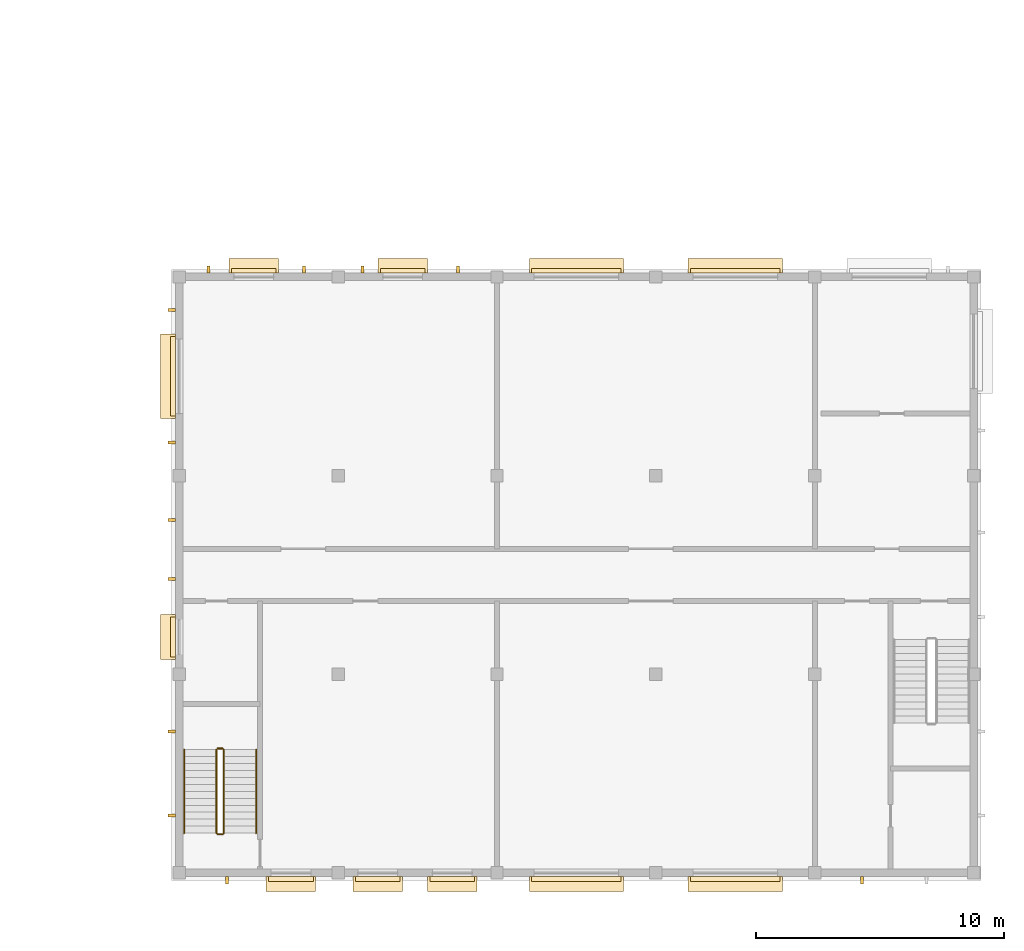
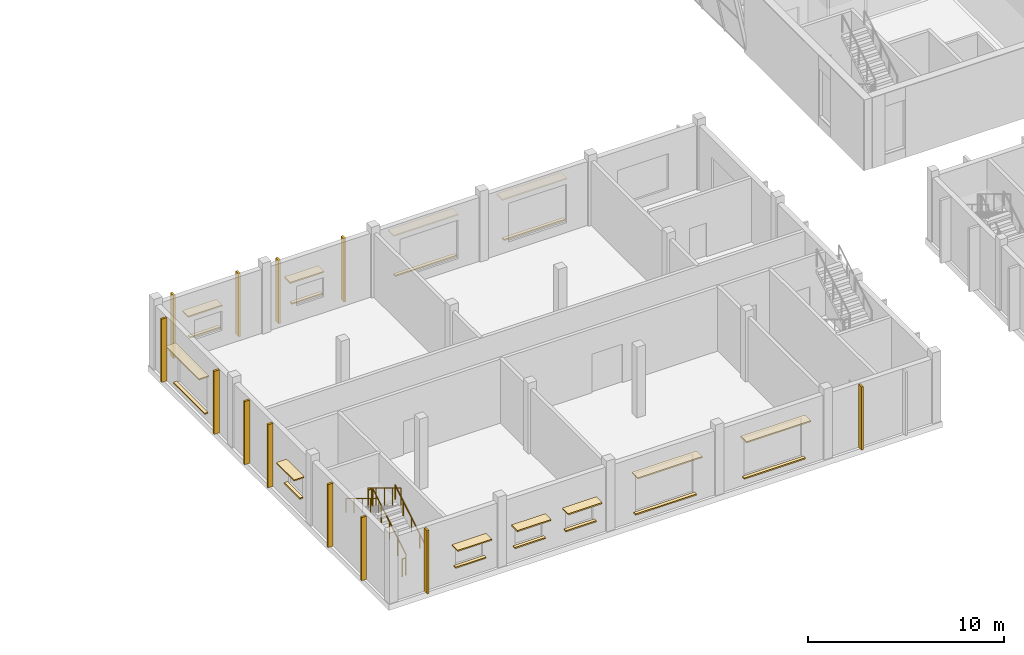
# One storey, part 94 of 115: 22 coverings, 12 shading devices, 6 railings.
"""IFC4 building model written with IfcOpenShell, lengths in metres."""

from ifc_helpers import new_model, si_unit, direction, frame, origin, origin_2d, place, context, subcontext, project, spatial, polyline, circle, outline, extrude, material, layer, layer_set, type_object, element, save


model = new_model("IFC4")

# Units and contexts
model_context = context("Model", 3, precision=1e-05, world=origin(), true_north=direction((0.0, 1.0)))
body_context = subcontext(model_context, "Body", "Model", "MODEL_VIEW")
ifc_project = project(units=[si_unit("LENGTHUNIT", "METRE"), si_unit("AREAUNIT", "SQUARE_METRE"), si_unit("VOLUMEUNIT", "CUBIC_METRE"), si_unit("PLANEANGLEUNIT", "RADIAN"), si_unit("MASSUNIT", "GRAM", prefix="KILO")], contexts=[model_context])

# Site, building, storey
site_placement = place(None, origin())
site = spatial("IfcSite", under=ifc_project, at=site_placement, CompositionType="ELEMENT")
building_placement = place(site_placement, origin())
building = spatial("IfcBuilding", under=site, at=building_placement, Name="Windward Yard Aquatics Centre", CompositionType="ELEMENT")
storey_placement = place(building_placement, frame((0.0, 0.0, 5.0)))
storey = spatial("IfcBuildingStorey", under=building, at=storey_placement, Name="L01", CompositionType="ELEMENT", Elevation=5.0)

# Railings
ifc_material_1 = material(Name="Stainless steel 1.4401", Category="steel")
railing_type_1 = type_object("IfcRailingType", Name="P Plant stair 1 stair guard", PredefinedType="GUARDRAIL", material=ifc_material_1)
railing_1_placement = place(storey_placement, frame((13.800048828125, 6.60009765625, 0.169189453125)))
element("IfcRailing", 1, at=railing_1_placement, inside=storey, type_object=railing_type_1, Name="L01 P-ST1 stair guard 1", PredefinedType="GUARDRAIL", context=body_context, shape_type="SweptSolid", body=[
    extrude(circle(Radius=0.02392578125, at=origin_2d()), frame((0.0, 0.0, 1.076171875), z_axis=(0.0, 0.855820338506, 0.51727318527), x_axis=(-1.0, 0.0, 0.0)), (0.0, 0.0, 1.0), 3.92578125),
    extrude(circle(Radius=0.02099609375, at=origin_2d()), origin(), (0.0, 0.0, 1.0), 1.052001953125),
    extrude(circle(Radius=0.02099609375, at=origin_2d()), frame((0.0, 0.83984375, 0.5078125)), (0.0, 0.0, 1.0), 1.052001953125),
    extrude(circle(Radius=0.02099609375, at=origin_2d()), frame((0.0, 1.679931640625, 1.015380859375)), (0.0, 0.0, 1.0), 1.052001953125),
    extrude(circle(Radius=0.02099609375, at=origin_2d()), frame((0.0, 2.52001953125, 1.52294921875)), (0.0, 0.0, 1.0), 1.052001953125),
    extrude(circle(Radius=0.02099609375, at=origin_2d()), frame((0.0, 3.35986328125, 2.03076171875)), (0.0, 0.0, 1.0), 1.052001953125),
])
railing_2_placement = place(storey_placement, frame((13.75, 10.010009765625, 2.199951171875)))
element("IfcRailing", 2, at=railing_2_placement, inside=storey, type_object=railing_type_1, Name="L01 P-ST1 stair guard 2", PredefinedType="GUARDRAIL", context=body_context, shape_type="SweptSolid", body=[
    extrude(circle(Radius=0.02392578125, at=origin_2d()), frame((0.0, 0.0, 1.076171875), z_axis=(-1.0, 0.0, 0.0), x_axis=(0.0, -1.0, 0.0)), (0.0, 0.0, 1.0), 0.199951171875),
    extrude(circle(Radius=0.02099609375, at=origin_2d()), origin(), (0.0, 0.0, 1.0), 1.052001953125),
    extrude(circle(Radius=0.02099609375, at=origin_2d()), frame((-0.199951171875, 0.0, 0.0)), (0.0, 0.0, 1.0), 1.052001953125),
])
railing_3_placement = place(storey_placement, frame((13.5, 9.9599609375, 2.369140625)))
element("IfcRailing", 3, at=railing_3_placement, inside=storey, type_object=railing_type_1, Name="L01 P-ST1 stair guard 3", PredefinedType="GUARDRAIL", context=body_context, shape_type="SweptSolid", body=[
    extrude(circle(Radius=0.02392578125, at=origin_2d()), frame((0.0, 0.0, 1.076171875), z_axis=(0.0, -0.855820338506, 0.51727318527), x_axis=(1.0, 0.0, 0.0)), (0.0, 0.0, 1.0), 3.92578125),
    extrude(circle(Radius=0.02099609375, at=origin_2d()), origin(), (0.0, 0.0, 1.0), 1.052001953125),
    extrude(circle(Radius=0.02099609375, at=origin_2d()), frame((0.0, -0.83984375, 0.5078125)), (0.0, 0.0, 1.0), 1.052001953125),
    extrude(circle(Radius=0.02099609375, at=origin_2d()), frame((0.0, -1.679931640625, 1.015380859375)), (0.0, 0.0, 1.0), 1.052001953125),
    extrude(circle(Radius=0.02099609375, at=origin_2d()), frame((0.0, -2.52001953125, 1.52294921875)), (0.0, 0.0, 1.0), 1.052001953125),
    extrude(circle(Radius=0.02099609375, at=origin_2d()), frame((0.0, -3.35986328125, 2.03076171875)), (0.0, 0.0, 1.0), 1.052001953125),
])
railing_4_placement = place(storey_placement, frame((13.75, 6.550048828125, 0.0)))
element("IfcRailing", 4, at=railing_4_placement, inside=storey, type_object=railing_type_1, Name="L01 P-ST1 stair guard 4", PredefinedType="GUARDRAIL", context=body_context, shape_type="SweptSolid", body=[
    extrude(circle(Radius=0.02392578125, at=origin_2d()), frame((0.0, 0.0, 1.076171875), z_axis=(-1.0, 0.0, 0.0), x_axis=(0.0, -1.0, 0.0)), (0.0, 0.0, 1.0), 0.199951171875),
    extrude(circle(Radius=0.02099609375, at=origin_2d()), origin(), (0.0, 0.0, 1.0), 1.052001953125),
    extrude(circle(Radius=0.02099609375, at=origin_2d()), frame((-0.199951171875, 0.0, 0.0)), (0.0, 0.0, 1.0), 1.052001953125),
])
railing_type_2 = type_object("IfcRailingType", Name="P Plant stair 1 stair handrail", PredefinedType="HANDRAIL", material=ifc_material_1)
railing_5_placement = place(storey_placement, frame((15.10009765625, 6.60009765625, 0.169189453125)))
element("IfcRailing", 5, at=railing_5_placement, inside=storey, type_object=railing_type_2, Name="L01 P-ST1 stair handrail 1", PredefinedType="HANDRAIL", context=body_context, shape_type="SweptSolid", body=[
    extrude(circle(Radius=0.02392578125, at=origin_2d()), frame((0.0, 0.0, 0.8759765625), z_axis=(0.0, 0.855820338506, 0.51727318527), x_axis=(-1.0, 0.0, 0.0)), (0.0, 0.0, 1.0), 3.92578125),
    extrude(circle(Radius=0.02099609375, at=origin_2d()), origin(), (0.0, 0.0, 1.0), 0.851806640625),
    extrude(circle(Radius=0.02099609375, at=origin_2d()), frame((0.0, 0.83984375, 0.5078125)), (0.0, 0.0, 1.0), 0.851806640625),
    extrude(circle(Radius=0.02099609375, at=origin_2d()), frame((0.0, 1.679931640625, 1.015380859375)), (0.0, 0.0, 1.0), 0.851806640625),
    extrude(circle(Radius=0.02099609375, at=origin_2d()), frame((0.0, 2.52001953125, 1.52294921875)), (0.0, 0.0, 1.0), 0.851806640625),
    extrude(circle(Radius=0.02099609375, at=origin_2d()), frame((0.0, 3.35986328125, 2.03076171875)), (0.0, 0.0, 1.0), 0.851806640625),
])
railing_6_placement = place(storey_placement, frame((12.199951171875, 9.9599609375, 2.369140625)))
element("IfcRailing", 6, at=railing_6_placement, inside=storey, type_object=railing_type_2, Name="L01 P-ST1 stair handrail 2", PredefinedType="HANDRAIL", context=body_context, shape_type="SweptSolid", body=[
    extrude(circle(Radius=0.02392578125, at=origin_2d()), frame((0.0, 0.0, 0.8759765625), z_axis=(0.0, -0.855820338506, 0.51727318527), x_axis=(1.0, 0.0, 0.0)), (0.0, 0.0, 1.0), 3.92578125),
    extrude(circle(Radius=0.02099609375, at=origin_2d()), origin(), (0.0, 0.0, 1.0), 0.851806640625),
    extrude(circle(Radius=0.02099609375, at=origin_2d()), frame((0.0, -0.83984375, 0.5078125)), (0.0, 0.0, 1.0), 0.851806640625),
    extrude(circle(Radius=0.02099609375, at=origin_2d()), frame((0.0, -1.679931640625, 1.015380859375)), (0.0, 0.0, 1.0), 0.851806640625),
    extrude(circle(Radius=0.02099609375, at=origin_2d()), frame((0.0, -2.52001953125, 1.52294921875)), (0.0, 0.0, 1.0), 0.851806640625),
    extrude(circle(Radius=0.02099609375, at=origin_2d()), frame((0.0, -3.35986328125, 2.03076171875)), (0.0, 0.0, 1.0), 0.851806640625),
])

# Shading devices
ifc_material_2 = material(Name="Aluminium fin, powder coated", Category="aluminium")
shading_device_type = type_object("IfcShadingDeviceType", Name="P vertical fin 120x300", PredefinedType="USERDEFINED", material=ifc_material_2)
shading_device_1_placement = place(storey_placement, origin())
element("IfcShadingDevice", 7, at=shading_device_1_placement, inside=storey, type_object=shading_device_type, Name="Vertical fin P.W.L01.N1.1.1", ObjectType="FIN", PredefinedType="USERDEFINED", context=body_context, shape_type="SweptSolid", body=[
    extrude(outline(polyline([(13.114990234375, 29.14990234375), (13.235107421875, 29.14990234375), (13.235107421875, 29.449951171875), (13.114990234375, 29.449951171875), (13.114990234375, 29.14990234375)])), origin(), (0.0, 0.0, 1.0), 3.929931640625),
])
shading_device_2_placement = place(storey_placement, origin())
element("IfcShadingDevice", 8, at=shading_device_2_placement, inside=storey, type_object=shading_device_type, Name="Vertical fin P.W.L01.N1.2.1", ObjectType="FIN", PredefinedType="USERDEFINED", context=body_context, shape_type="SweptSolid", body=[
    extrude(outline(polyline([(16.965087890625, 29.14990234375), (17.0849609375, 29.14990234375), (17.0849609375, 29.449951171875), (16.965087890625, 29.449951171875), (16.965087890625, 29.14990234375)])), origin(), (0.0, 0.0, 1.0), 3.929931640625),
])
shading_device_3_placement = place(storey_placement, origin())
element("IfcShadingDevice", 9, at=shading_device_3_placement, inside=storey, type_object=shading_device_type, Name="Vertical fin P.W.L01.N2.1.1", ObjectType="FIN", PredefinedType="USERDEFINED", context=body_context, shape_type="SweptSolid", body=[
    extrude(outline(polyline([(19.31494140625, 29.14990234375), (19.43505859375, 29.14990234375), (19.43505859375, 29.449951171875), (19.31494140625, 29.449951171875), (19.31494140625, 29.14990234375)])), origin(), (0.0, 0.0, 1.0), 3.929931640625),
])
shading_device_4_placement = place(storey_placement, origin())
element("IfcShadingDevice", 10, at=shading_device_4_placement, inside=storey, type_object=shading_device_type, Name="Vertical fin P.W.L01.N2.2.1", ObjectType="FIN", PredefinedType="USERDEFINED", context=body_context, shape_type="SweptSolid", body=[
    extrude(outline(polyline([(23.1650390625, 29.14990234375), (23.284912109375, 29.14990234375), (23.284912109375, 29.449951171875), (23.1650390625, 29.449951171875), (23.1650390625, 29.14990234375)])), origin(), (0.0, 0.0, 1.0), 3.929931640625),
])
shading_device_5_placement = place(storey_placement, origin())
element("IfcShadingDevice", 11, at=shading_device_5_placement, inside=storey, type_object=shading_device_type, Name="Vertical fin P.W.L01.S1.1.1", ObjectType="FIN", PredefinedType="USERDEFINED", context=body_context, shape_type="SweptSolid", body=[
    extrude(outline(polyline([(13.864990234375, 4.550048828125), (13.864990234375, 4.85009765625), (13.985107421875, 4.85009765625), (13.985107421875, 4.550048828125), (13.864990234375, 4.550048828125)])), origin(), (0.0, 0.0, 1.0), 3.929931640625),
])
shading_device_6_placement = place(storey_placement, origin())
element("IfcShadingDevice", 12, at=shading_device_6_placement, inside=storey, type_object=shading_device_type, Name="Vertical fin P.W.L01.S5.1.1", ObjectType="FIN", PredefinedType="USERDEFINED", context=body_context, shape_type="SweptSolid", body=[
    extrude(outline(polyline([(39.43994140625, 4.550048828125), (39.43994140625, 4.85009765625), (39.56005859375, 4.85009765625), (39.56005859375, 4.550048828125), (39.43994140625, 4.550048828125)])), origin(), (0.0, 0.0, 1.0), 3.929931640625),
])
shading_device_7_placement = place(storey_placement, origin())
element("IfcShadingDevice", 13, at=shading_device_7_placement, inside=storey, type_object=shading_device_type, Name="Vertical fin P.W.L01.W1.1.1", ObjectType="FIN", PredefinedType="USERDEFINED", context=body_context, shape_type="SweptSolid", body=[
    extrude(outline(polyline([(11.550048828125, 7.239990234375), (11.85009765625, 7.239990234375), (11.85009765625, 7.360107421875), (11.550048828125, 7.360107421875), (11.550048828125, 7.239990234375)])), origin(), (0.0, 0.0, 1.0), 3.929931640625),
])
shading_device_8_placement = place(storey_placement, origin())
element("IfcShadingDevice", 14, at=shading_device_8_placement, inside=storey, type_object=shading_device_type, Name="Vertical fin P.W.L01.W1.1.2", ObjectType="FIN", PredefinedType="USERDEFINED", context=body_context, shape_type="SweptSolid", body=[
    extrude(outline(polyline([(11.550048828125, 10.639892578125), (11.85009765625, 10.639892578125), (11.85009765625, 10.760009765625), (11.550048828125, 10.760009765625), (11.550048828125, 10.639892578125)])), origin(), (0.0, 0.0, 1.0), 3.929931640625),
])
shading_device_9_placement = place(storey_placement, origin())
element("IfcShadingDevice", 15, at=shading_device_9_placement, inside=storey, type_object=shading_device_type, Name="Vertical fin P.W.L01.W2.1.1", ObjectType="FIN", PredefinedType="USERDEFINED", context=body_context, shape_type="SweptSolid", body=[
    extrude(outline(polyline([(11.550048828125, 16.777587890625), (11.85009765625, 16.777587890625), (11.85009765625, 16.8974609375), (11.550048828125, 16.8974609375), (11.550048828125, 16.777587890625)])), origin(), (0.0, 0.0, 1.0), 3.929931640625),
])
shading_device_10_placement = place(storey_placement, origin())
element("IfcShadingDevice", 16, at=shading_device_10_placement, inside=storey, type_object=shading_device_type, Name="Vertical fin P.W.L01.W2.1.2", ObjectType="FIN", PredefinedType="USERDEFINED", context=body_context, shape_type="SweptSolid", body=[
    extrude(outline(polyline([(11.550048828125, 19.152587890625), (11.85009765625, 19.152587890625), (11.85009765625, 19.2724609375), (11.550048828125, 19.2724609375), (11.550048828125, 19.152587890625)])), origin(), (0.0, 0.0, 1.0), 3.929931640625),
])
shading_device_11_placement = place(storey_placement, origin())
element("IfcShadingDevice", 17, at=shading_device_11_placement, inside=storey, type_object=shading_device_type, Name="Vertical fin P.W.L01.W3.1.1", ObjectType="FIN", PredefinedType="USERDEFINED", context=body_context, shape_type="SweptSolid", body=[
    extrude(outline(polyline([(11.550048828125, 22.264892578125), (11.85009765625, 22.264892578125), (11.85009765625, 22.385009765625), (11.550048828125, 22.385009765625), (11.550048828125, 22.264892578125)])), origin(), (0.0, 0.0, 1.0), 3.929931640625),
])
shading_device_12_placement = place(storey_placement, origin())
element("IfcShadingDevice", 18, at=shading_device_12_placement, inside=storey, type_object=shading_device_type, Name="Vertical fin P.W.L01.W3.2.1", ObjectType="FIN", PredefinedType="USERDEFINED", context=body_context, shape_type="SweptSolid", body=[
    extrude(outline(polyline([(11.550048828125, 27.614990234375), (11.85009765625, 27.614990234375), (11.85009765625, 27.735107421875), (11.550048828125, 27.735107421875), (11.550048828125, 27.614990234375)])), origin(), (0.0, 0.0, 1.0), 3.929931640625),
])

# Coverings
ifc_material_3 = material(Name="Aluminium composite hood, powder coated", Category="aluminium")
ifc_layer_1 = layer(ifc_material_3, 0.080078125)
ifc_layer_set_1 = layer_set([ifc_layer_1], Name="P window hood aluminium 1800x600")
covering_type_1 = type_object("IfcCoveringType", Name="P window hood aluminium 1800x600", PredefinedType="CLADDING", material=ifc_layer_set_1)
covering_1_placement = place(storey_placement, frame((0.0, 0.0, 2.449951171875)))
element("IfcCovering", 19, at=covering_1_placement, inside=storey, type_object=covering_type_1, Name="Window hood PW1008", PredefinedType="CLADDING", context=body_context, shape_type="SweptSolid", body=[
    extrude(outline(polyline([(11.25, 13.60009765625), (11.85009765625, 13.60009765625), (11.85009765625, 15.39990234375), (11.25, 15.39990234375), (11.25, 13.60009765625)])), origin(), (0.0, 0.0, 1.0), 0.080078125),
])
ifc_layer_2 = layer(ifc_material_3, 0.080078125)
ifc_layer_set_2 = layer_set([ifc_layer_2], Name="P window hood aluminium 2000x600")
covering_type_2 = type_object("IfcCoveringType", Name="P window hood aluminium 2000x600", PredefinedType="CLADDING", material=ifc_layer_set_2)
covering_2_placement = place(storey_placement, frame((0.0, 0.0, 2.25)))
element("IfcCovering", 20, at=covering_2_placement, inside=storey, type_object=covering_type_2, Name="Window hood PW1012", PredefinedType="CLADDING", context=body_context, shape_type="SweptSolid", body=[
    extrude(outline(polyline([(14.0, 29.14990234375), (16.0, 29.14990234375), (16.0, 29.75), (14.0, 29.75), (14.0, 29.14990234375)])), origin(), (0.0, 0.0, 1.0), 0.080078125),
])
covering_3_placement = place(storey_placement, frame((0.0, 0.0, 2.25)))
element("IfcCovering", 21, at=covering_3_placement, inside=storey, type_object=covering_type_2, Name="Window hood PW1013", PredefinedType="CLADDING", context=body_context, shape_type="SweptSolid", body=[
    extrude(outline(polyline([(20.0, 29.14990234375), (22.0, 29.14990234375), (22.0, 29.75), (20.0, 29.75), (20.0, 29.14990234375)])), origin(), (0.0, 0.0, 1.0), 0.080078125),
])
covering_4_placement = place(storey_placement, frame((0.0, 0.0, 2.25)))
element("IfcCovering", 22, at=covering_4_placement, inside=storey, type_object=covering_type_2, Name="Window hood PW1009", PredefinedType="CLADDING", context=body_context, shape_type="SweptSolid", body=[
    extrude(outline(polyline([(15.5, 4.25), (15.5, 4.85009765625), (17.5, 4.85009765625), (17.5, 4.25), (15.5, 4.25)])), origin(), (0.0, 0.0, 1.0), 0.080078125),
])
covering_5_placement = place(storey_placement, frame((0.0, 0.0, 2.25)))
element("IfcCovering", 23, at=covering_5_placement, inside=storey, type_object=covering_type_2, Name="Window hood PW1010", PredefinedType="CLADDING", context=body_context, shape_type="SweptSolid", body=[
    extrude(outline(polyline([(19.0, 4.25), (19.0, 4.85009765625), (21.0, 4.85009765625), (21.0, 4.25), (19.0, 4.25)])), origin(), (0.0, 0.0, 1.0), 0.080078125),
])
covering_6_placement = place(storey_placement, frame((0.0, 0.0, 2.25)))
element("IfcCovering", 24, at=covering_6_placement, inside=storey, type_object=covering_type_2, Name="Window hood PW1011", PredefinedType="CLADDING", context=body_context, shape_type="SweptSolid", body=[
    extrude(outline(polyline([(22.0, 4.25), (22.0, 4.85009765625), (24.0, 4.85009765625), (24.0, 4.25), (22.0, 4.25)])), origin(), (0.0, 0.0, 1.0), 0.080078125),
])
ifc_layer_3 = layer(ifc_material_3, 0.080078125)
ifc_layer_set_3 = layer_set([ifc_layer_3], Name="P window hood aluminium 3400x600")
covering_type_3 = type_object("IfcCoveringType", Name="P window hood aluminium 3400x600", PredefinedType="CLADDING", material=ifc_layer_set_3)
covering_7_placement = place(storey_placement, frame((0.0, 0.0, 2.85009765625)))
element("IfcCovering", 25, at=covering_7_placement, inside=storey, type_object=covering_type_3, Name="Window hood PW1007", PredefinedType="CLADDING", context=body_context, shape_type="SweptSolid", body=[
    extrude(outline(polyline([(11.25, 23.300048828125), (11.85009765625, 23.300048828125), (11.85009765625, 26.699951171875), (11.25, 26.699951171875), (11.25, 23.300048828125)])), origin(), (0.0, 0.0, 1.0), 0.079833984375),
])
ifc_layer_4 = layer(ifc_material_3, 0.080078125)
ifc_layer_set_4 = layer_set([ifc_layer_4], Name="P window hood aluminium 3800x600")
covering_type_4 = type_object("IfcCoveringType", Name="P window hood aluminium 3800x600", PredefinedType="CLADDING", material=ifc_layer_set_4)
covering_8_placement = place(storey_placement, frame((0.0, 0.0, 3.050048828125)))
element("IfcCovering", 26, at=covering_8_placement, inside=storey, type_object=covering_type_4, Name="Window hood PW1003", PredefinedType="CLADDING", context=body_context, shape_type="SweptSolid", body=[
    extrude(outline(polyline([(26.10009765625, 29.14990234375), (29.89990234375, 29.14990234375), (29.89990234375, 29.75), (26.10009765625, 29.75), (26.10009765625, 29.14990234375)])), origin(), (0.0, 0.0, 1.0), 0.079833984375),
])
covering_9_placement = place(storey_placement, frame((0.0, 0.0, 3.050048828125)))
element("IfcCovering", 27, at=covering_9_placement, inside=storey, type_object=covering_type_4, Name="Window hood PW1004", PredefinedType="CLADDING", context=body_context, shape_type="SweptSolid", body=[
    extrude(outline(polyline([(32.5, 29.14990234375), (36.300048828125, 29.14990234375), (36.300048828125, 29.75), (32.5, 29.75), (32.5, 29.14990234375)])), origin(), (0.0, 0.0, 1.0), 0.079833984375),
])
covering_10_placement = place(storey_placement, frame((0.0, 0.0, 3.050048828125)))
element("IfcCovering", 28, at=covering_10_placement, inside=storey, type_object=covering_type_4, Name="Window hood PW1001", PredefinedType="CLADDING", context=body_context, shape_type="SweptSolid", body=[
    extrude(outline(polyline([(26.10009765625, 4.25), (26.10009765625, 4.85009765625), (29.89990234375, 4.85009765625), (29.89990234375, 4.25), (26.10009765625, 4.25)])), origin(), (0.0, 0.0, 1.0), 0.079833984375),
])
covering_11_placement = place(storey_placement, frame((0.0, 0.0, 3.050048828125)))
element("IfcCovering", 29, at=covering_11_placement, inside=storey, type_object=covering_type_4, Name="Window hood PW1002", PredefinedType="CLADDING", context=body_context, shape_type="SweptSolid", body=[
    extrude(outline(polyline([(32.5, 4.25), (32.5, 4.85009765625), (36.300048828125, 4.85009765625), (36.300048828125, 4.25), (32.5, 4.25)])), origin(), (0.0, 0.0, 1.0), 0.079833984375),
])
ifc_material_4 = material(Name="Limestone sill", Category="masonry")
ifc_layer_5 = layer(ifc_material_4, 0.080078125)
ifc_layer_set_5 = layer_set([ifc_layer_5], Name="P window sill stone 1600x200")
covering_type_5 = type_object("IfcCoveringType", Name="P window sill stone 1600x200", PredefinedType="CLADDING", material=ifc_layer_set_5)
covering_12_placement = place(storey_placement, frame((0.0, 0.0, 1.1201171875)))
element("IfcCovering", 30, at=covering_12_placement, inside=storey, type_object=covering_type_5, Name="Window sill PW1008", PredefinedType="CLADDING", context=body_context, shape_type="SweptSolid", body=[
    extrude(outline(polyline([(11.64990234375, 13.699951171875), (11.85009765625, 13.699951171875), (11.85009765625, 15.300048828125), (11.64990234375, 15.300048828125), (11.64990234375, 13.699951171875)])), origin(), (0.0, 0.0, 1.0), 0.079833984375),
])
ifc_layer_6 = layer(ifc_material_4, 0.080078125)
ifc_layer_set_6 = layer_set([ifc_layer_6], Name="P window sill stone 1800x200")
covering_type_6 = type_object("IfcCoveringType", Name="P window sill stone 1800x200", PredefinedType="CLADDING", material=ifc_layer_set_6)
covering_13_placement = place(storey_placement, frame((0.0, 0.0, 0.919921875)))
element("IfcCovering", 31, at=covering_13_placement, inside=storey, type_object=covering_type_6, Name="Window sill PW1012", PredefinedType="CLADDING", context=body_context, shape_type="SweptSolid", body=[
    extrude(outline(polyline([(14.10009765625, 29.14990234375), (15.89990234375, 29.14990234375), (15.89990234375, 29.35009765625), (14.10009765625, 29.35009765625), (14.10009765625, 29.14990234375)])), origin(), (0.0, 0.0, 1.0), 0.080078125),
])
covering_14_placement = place(storey_placement, frame((0.0, 0.0, 0.919921875)))
element("IfcCovering", 32, at=covering_14_placement, inside=storey, type_object=covering_type_6, Name="Window sill PW1013", PredefinedType="CLADDING", context=body_context, shape_type="SweptSolid", body=[
    extrude(outline(polyline([(20.10009765625, 29.14990234375), (21.89990234375, 29.14990234375), (21.89990234375, 29.35009765625), (20.10009765625, 29.35009765625), (20.10009765625, 29.14990234375)])), origin(), (0.0, 0.0, 1.0), 0.080078125),
])
covering_15_placement = place(storey_placement, frame((0.0, 0.0, 0.919921875)))
element("IfcCovering", 33, at=covering_15_placement, inside=storey, type_object=covering_type_6, Name="Window sill PW1009", PredefinedType="CLADDING", context=body_context, shape_type="SweptSolid", body=[
    extrude(outline(polyline([(15.60009765625, 4.64990234375), (15.60009765625, 4.85009765625), (17.39990234375, 4.85009765625), (17.39990234375, 4.64990234375), (15.60009765625, 4.64990234375)])), origin(), (0.0, 0.0, 1.0), 0.080078125),
])
covering_16_placement = place(storey_placement, frame((0.0, 0.0, 0.919921875)))
element("IfcCovering", 34, at=covering_16_placement, inside=storey, type_object=covering_type_6, Name="Window sill PW1010", PredefinedType="CLADDING", context=body_context, shape_type="SweptSolid", body=[
    extrude(outline(polyline([(19.10009765625, 4.64990234375), (19.10009765625, 4.85009765625), (20.89990234375, 4.85009765625), (20.89990234375, 4.64990234375), (19.10009765625, 4.64990234375)])), origin(), (0.0, 0.0, 1.0), 0.080078125),
])
covering_17_placement = place(storey_placement, frame((0.0, 0.0, 0.919921875)))
element("IfcCovering", 35, at=covering_17_placement, inside=storey, type_object=covering_type_6, Name="Window sill PW1011", PredefinedType="CLADDING", context=body_context, shape_type="SweptSolid", body=[
    extrude(outline(polyline([(22.10009765625, 4.64990234375), (22.10009765625, 4.85009765625), (23.89990234375, 4.85009765625), (23.89990234375, 4.64990234375), (22.10009765625, 4.64990234375)])), origin(), (0.0, 0.0, 1.0), 0.080078125),
])
ifc_layer_7 = layer(ifc_material_4, 0.080078125)
ifc_layer_set_7 = layer_set([ifc_layer_7], Name="P window sill stone 3200x200")
covering_type_7 = type_object("IfcCoveringType", Name="P window sill stone 3200x200", PredefinedType="CLADDING", material=ifc_layer_set_7)
covering_18_placement = place(storey_placement, frame((0.0, 0.0, 0.52001953125)))
element("IfcCovering", 36, at=covering_18_placement, inside=storey, type_object=covering_type_7, Name="Window sill PW1007", PredefinedType="CLADDING", context=body_context, shape_type="SweptSolid", body=[
    extrude(outline(polyline([(11.64990234375, 23.39990234375), (11.85009765625, 23.39990234375), (11.85009765625, 26.60009765625), (11.64990234375, 26.60009765625), (11.64990234375, 23.39990234375)])), origin(), (0.0, 0.0, 1.0), 0.080078125),
])
ifc_layer_8 = layer(ifc_material_4, 0.080078125)
ifc_layer_set_8 = layer_set([ifc_layer_8], Name="P window sill stone 3600x200")
covering_type_8 = type_object("IfcCoveringType", Name="P window sill stone 3600x200", PredefinedType="CLADDING", material=ifc_layer_set_8)
covering_19_placement = place(storey_placement, frame((0.0, 0.0, 0.52001953125)))
element("IfcCovering", 37, at=covering_19_placement, inside=storey, type_object=covering_type_8, Name="Window sill PW1003", PredefinedType="CLADDING", context=body_context, shape_type="SweptSolid", body=[
    extrude(outline(polyline([(26.199951171875, 29.14990234375), (29.800048828125, 29.14990234375), (29.800048828125, 29.35009765625), (26.199951171875, 29.35009765625), (26.199951171875, 29.14990234375)])), origin(), (0.0, 0.0, 1.0), 0.080078125),
])
covering_20_placement = place(storey_placement, frame((0.0, 0.0, 0.52001953125)))
element("IfcCovering", 38, at=covering_20_placement, inside=storey, type_object=covering_type_8, Name="Window sill PW1004", PredefinedType="CLADDING", context=body_context, shape_type="SweptSolid", body=[
    extrude(outline(polyline([(32.60009765625, 29.14990234375), (36.199951171875, 29.14990234375), (36.199951171875, 29.35009765625), (32.60009765625, 29.35009765625), (32.60009765625, 29.14990234375)])), origin(), (0.0, 0.0, 1.0), 0.080078125),
])
covering_21_placement = place(storey_placement, frame((0.0, 0.0, 0.52001953125)))
element("IfcCovering", 39, at=covering_21_placement, inside=storey, type_object=covering_type_8, Name="Window sill PW1001", PredefinedType="CLADDING", context=body_context, shape_type="SweptSolid", body=[
    extrude(outline(polyline([(26.199951171875, 4.64990234375), (26.199951171875, 4.85009765625), (29.800048828125, 4.85009765625), (29.800048828125, 4.64990234375), (26.199951171875, 4.64990234375)])), origin(), (0.0, 0.0, 1.0), 0.080078125),
])
covering_22_placement = place(storey_placement, frame((0.0, 0.0, 0.52001953125)))
element("IfcCovering", 40, at=covering_22_placement, inside=storey, type_object=covering_type_8, Name="Window sill PW1002", PredefinedType="CLADDING", context=body_context, shape_type="SweptSolid", body=[
    extrude(outline(polyline([(32.60009765625, 4.64990234375), (32.60009765625, 4.85009765625), (36.199951171875, 4.85009765625), (36.199951171875, 4.64990234375), (32.60009765625, 4.64990234375)])), origin(), (0.0, 0.0, 1.0), 0.080078125),
])

save(model, "model.ifc")
